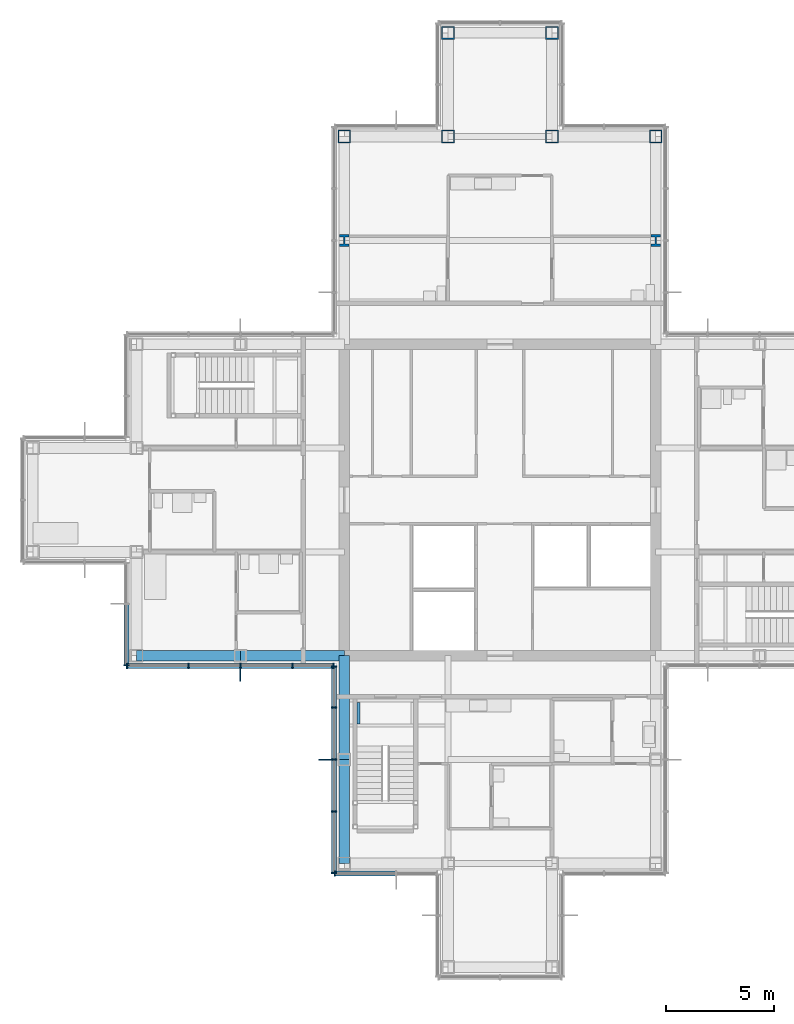
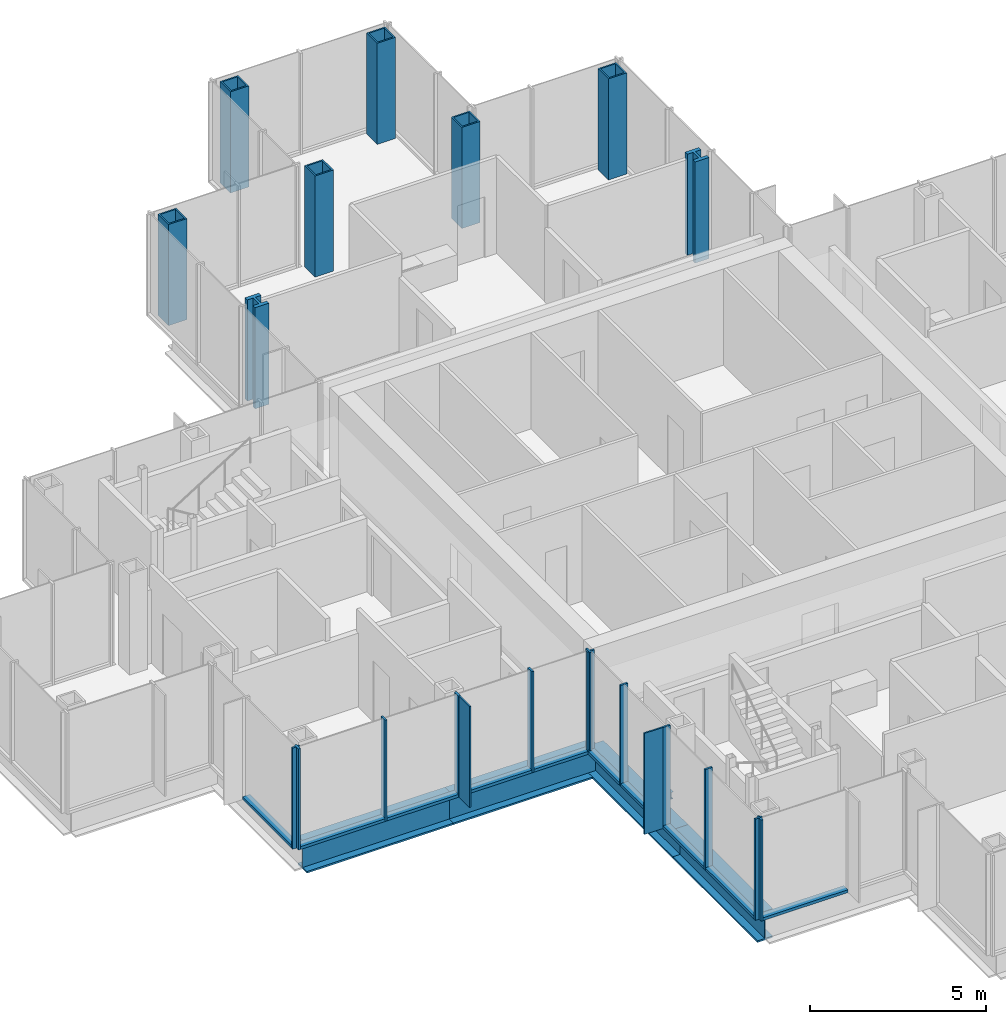
# One storey, part 5 of 17: 24 members, 8 columns, 5 beams, 4 elements without a shape of their own.
"""IFC4 building model written with IfcOpenShell, lengths in metres."""

from ifc_helpers import new_model, si_unit, direction, frame, origin, origin_2d, place, context, subcontext, project, spatial, rectangle, hollow_rectangle, i_section, extrude, material, material_profile, profile_set, type_object, element, aggregate, save


model = new_model("IFC4")

# Units and contexts
model_context = context("Model", 3, precision=1e-05, world=origin(), true_north=direction((0.0, 1.0)))
body_context = subcontext(model_context, "Body", "Model", "MODEL_VIEW")
ifc_project = project(units=[si_unit("LENGTHUNIT", "METRE"), si_unit("AREAUNIT", "SQUARE_METRE"), si_unit("VOLUMEUNIT", "CUBIC_METRE"), si_unit("PLANEANGLEUNIT", "RADIAN"), si_unit("MASSUNIT", "GRAM", prefix="KILO")], contexts=[model_context])

# Site, building, storey
site_placement = place(None, origin())
site = spatial("IfcSite", under=ifc_project, at=site_placement, CompositionType="ELEMENT")
building_placement = place(site_placement, origin())
building = spatial("IfcBuilding", under=site, at=building_placement, Name="Kvirike Care Tower", CompositionType="ELEMENT")
storey_placement = place(building_placement, frame((0.0, 0.0, 162.0)))
storey = spatial("IfcBuildingStorey", under=building, at=storey_placement, Name="L44", CompositionType="ELEMENT", Elevation=162.0)

# Columns
ifc_material_1 = material(Name="Steel S460", Category="steel")
ifc_material_profile_1 = material_profile(ifc_material_1, hollow_rectangle(XDim=0.60009765625, YDim=0.60009765625, WallThickness=0.050048828125, at=origin_2d()), Name="BX 600x600x50")
ifc_profile_set_1 = profile_set([ifc_material_profile_1], Name="Steel S460")
column_type_1 = type_object("IfcColumnType", Name="COLUMN BX 600x600x50", PredefinedType="COLUMN", material=ifc_profile_set_1)
for number, where, z_axis, x_axis, name in (
    (1, (14.39990234375, 52.800048828125, 0.0), (0.0, 0.0, 1.0), (0.0, 1.0, 0.0), "Column M6 L44"),
    (2, (19.199951171875, 52.800048828125, 0.0), (0.0, 0.0, 1.0), (0.0, 1.0, 0.0), "Column M7 L44"),
    (3, (19.199951171875, 57.60009765625, 0.0), (0.0, 0.0, 1.0), (0.0, 1.0, 0.0), "Column N7 L44"),
    (4, (24.0, 52.800048828125, 0.0), (0.0, 0.0, 1.0), (0.0, 1.0, 0.0), "Column M8 L44"),
    (5, (24.0, 57.60009765625, 0.0), (0.0, 0.0, 1.0), (0.0, 1.0, 0.0), "Column N8 L44"),
    (6, (28.800048828125, 52.800048828125, 0.0), (0.0, 0.0, 1.0), (0.0, 1.0, 0.0), "Column M9 L44"),
):
    element("IfcColumn", number, at=place(storey_placement, frame(where, z_axis=z_axis, x_axis=x_axis)), inside=storey, type_object=column_type_1, Name=name, PredefinedType="COLUMN", context=body_context, shape_type="SweptSolid", body=[
        extrude(hollow_rectangle(XDim=0.60009765625, YDim=0.60009765625, WallThickness=0.050048828125, at=origin_2d()), origin(), (0.0, 0.0, 1.0), 3.5),
    ])
ifc_material_2 = material(Name="Steel S460", Category="steel")
ifc_material_profile_2 = material_profile(ifc_material_2, i_section(OverallWidth=0.4541015625, OverallDepth=0.569091796875, WebThickness=0.077880859375, FlangeThickness=0.125, FilletRadius=0.014892578125, at=origin_2d()), Name="HD 400x1086")
ifc_profile_set_2 = profile_set([ifc_material_profile_2], Name="Steel S460")
column_type_2 = type_object("IfcColumnType", Name="COLUMN HD 400x1086", PredefinedType="COLUMN", material=ifc_profile_set_2)
for number, where, z_axis, x_axis, name in (
    (7, (14.39990234375, 48.0, 0.0), (0.0, 0.0, 1.0), (1.0, 0.0, 0.0), "Column L6 L44"),
    (8, (28.800048828125, 48.0, 0.0), (0.0, 0.0, 1.0), (1.0, 0.0, 0.0), "Column L9 L44"),
):
    element("IfcColumn", number, at=place(storey_placement, frame(where, z_axis=z_axis, x_axis=x_axis)), inside=storey, type_object=column_type_2, Name=name, PredefinedType="COLUMN", context=body_context, shape_type="SweptSolid", body=[
        extrude(i_section(OverallWidth=0.4541015625, OverallDepth=0.569091796875, WebThickness=0.077880859375, FlangeThickness=0.125, FilletRadius=0.014892578125, at=origin_2d()), origin(), (0.0, 0.0, 1.0), 3.5),
    ])

# Curtain wall, member
ifc_material_3 = material(Name="Anodised aluminium stick system", Category="aluminium")
curtain_wall_type = type_object("IfcCurtainWallType", Name="CW-C STICK CURTAIN WALL", PredefinedType="NOTDEFINED", material=ifc_material_3)
curtain_wall_1_placement = place(storey_placement, origin())
curtain_wall_1 = element("IfcCurtainWall", 9, at=curtain_wall_1_placement, inside=storey, type_object=curtain_wall_type, Name="Curtain wall L44 face 21", PredefinedType="NOTDEFINED")
ifc_material_4 = material(Name="Bronze anodised aluminium fin", Category="aluminium")
ifc_material_profile_3 = material_profile(ifc_material_4, rectangle(XDim=0.050048828125, YDim=0.60009765625, at=origin_2d()), Name="BRONZE FIN 600")
ifc_profile_set_3 = profile_set([ifc_material_profile_3], Name="Bronze anodised aluminium fin")
member_type_1 = type_object("IfcMemberType", Name="BRONZE FIN 600", PredefinedType="USERDEFINED", material=ifc_profile_set_3)
member_1_placement = place(storey_placement, frame((9.60009765625, 27.909912109375, 0.0), z_axis=(0.0, 0.0, 1.0), x_axis=(1.0, 0.0, 0.0)))
member_1 = element("IfcMember", 10, at=member_1_placement, type_object=member_type_1, Name="Bronze fin L44 face 21.3", ObjectType="FIN", PredefinedType="USERDEFINED", context=body_context, shape_type="SweptSolid", body=[
    extrude(rectangle(XDim=0.050048828125, YDim=0.60009765625, at=origin_2d()), origin(), (0.0, 0.0, 1.0), 3.5),
])

curtain_wall_2_placement = place(storey_placement, origin())
curtain_wall_2 = element("IfcCurtainWall", 11, at=curtain_wall_2_placement, inside=storey, type_object=curtain_wall_type, Name="Curtain wall L44 face 22", PredefinedType="NOTDEFINED")
member_2_placement = place(storey_placement, frame((13.510009765625, 24.0, 0.0), z_axis=(0.0, 0.0, 1.0), x_axis=(0.0, -1.0, 0.0)))
member_2 = element("IfcMember", 12, at=member_2_placement, type_object=member_type_1, Name="Bronze fin L44 face 22.3", ObjectType="FIN", PredefinedType="USERDEFINED", context=body_context, shape_type="SweptSolid", body=[
    extrude(rectangle(XDim=0.050048828125, YDim=0.60009765625, at=origin_2d()), origin(), (0.0, 0.0, 1.0), 3.5),
])

curtain_wall_3_placement = place(storey_placement, origin())
curtain_wall_3 = element("IfcCurtainWall", 13, at=curtain_wall_3_placement, inside=storey, type_object=curtain_wall_type, Name="Curtain wall L44 face 20", PredefinedType="NOTDEFINED")
ifc_material_5 = material(Name="Bronze anodised aluminium mullion", Category="aluminium")
ifc_material_profile_4 = material_profile(ifc_material_5, rectangle(XDim=0.06494140625, YDim=0.239990234375, at=origin_2d()), Name="CW-C MULLION 65x240")
ifc_profile_set_4 = profile_set([ifc_material_profile_4], Name="Bronze anodised aluminium mullion")
member_type_2 = type_object("IfcMemberType", Name="CW-C MULLION 65x240", PredefinedType="MULLION", material=ifc_profile_set_4)
member_3_placement = place(storey_placement, frame((4.330078125, 28.362548828125, 0.0), z_axis=(0.0, 0.0, 1.0), x_axis=(0.0, -1.0, 0.0)))
member_3 = element("IfcMember", 14, at=member_3_placement, type_object=member_type_2, Name="CW-C mullion L44 face 20.3", PredefinedType="MULLION", context=body_context, shape_type="SweptSolid", body=[
    extrude(rectangle(XDim=0.06494140625, YDim=0.239990234375, at=origin_2d()), origin(), (0.0, 0.0, 1.0), 3.5),
])

# Member
member_4_placement = place(storey_placement, frame((4.362548828125, 28.330078125, 0.0), z_axis=(0.0, 0.0, 1.0), x_axis=(1.0, 0.0, 0.0)))
member_4 = element("IfcMember", 15, at=member_4_placement, type_object=member_type_2, Name="CW-C mullion L44 face 21.1", PredefinedType="MULLION", context=body_context, shape_type="SweptSolid", body=[
    extrude(rectangle(XDim=0.06494140625, YDim=0.239990234375, at=origin_2d()), origin(), (0.0, 0.0, 1.0), 3.5),
])

member_5_placement = place(storey_placement, frame((7.199951171875, 28.330078125, 0.0), z_axis=(0.0, 0.0, 1.0), x_axis=(1.0, 0.0, 0.0)))
member_5 = element("IfcMember", 16, at=member_5_placement, type_object=member_type_2, Name="CW-C mullion L44 face 21.2", PredefinedType="MULLION", context=body_context, shape_type="SweptSolid", body=[
    extrude(rectangle(XDim=0.06494140625, YDim=0.239990234375, at=origin_2d()), origin(), (0.0, 0.0, 1.0), 3.5),
])

member_6_placement = place(storey_placement, frame((9.60009765625, 28.330078125, 0.0), z_axis=(0.0, 0.0, 1.0), x_axis=(1.0, 0.0, 0.0)))
member_6 = element("IfcMember", 17, at=member_6_placement, type_object=member_type_2, Name="CW-C mullion L44 face 21.3", PredefinedType="MULLION", context=body_context, shape_type="SweptSolid", body=[
    extrude(rectangle(XDim=0.06494140625, YDim=0.239990234375, at=origin_2d()), origin(), (0.0, 0.0, 1.0), 3.5),
])

member_7_placement = place(storey_placement, frame((12.0, 28.330078125, 0.0), z_axis=(0.0, 0.0, 1.0), x_axis=(1.0, 0.0, 0.0)))
member_7 = element("IfcMember", 18, at=member_7_placement, type_object=member_type_2, Name="CW-C mullion L44 face 21.4", PredefinedType="MULLION", context=body_context, shape_type="SweptSolid", body=[
    extrude(rectangle(XDim=0.06494140625, YDim=0.239990234375, at=origin_2d()), origin(), (0.0, 0.0, 1.0), 3.5),
])

member_8_placement = place(storey_placement, frame((13.8974609375, 28.330078125, 0.0), z_axis=(0.0, 0.0, 1.0), x_axis=(1.0, 0.0, 0.0)))
member_8 = element("IfcMember", 19, at=member_8_placement, type_object=member_type_2, Name="CW-C mullion L44 face 21.5", PredefinedType="MULLION", context=body_context, shape_type="SweptSolid", body=[
    extrude(rectangle(XDim=0.06494140625, YDim=0.239990234375, at=origin_2d()), origin(), (0.0, 0.0, 1.0), 3.5),
])

member_9_placement = place(storey_placement, frame((13.929931640625, 28.297607421875, 0.0), z_axis=(0.0, 0.0, 1.0), x_axis=(0.0, -1.0, 0.0)))
member_9 = element("IfcMember", 20, at=member_9_placement, type_object=member_type_2, Name="CW-C mullion L44 face 22.1", PredefinedType="MULLION", context=body_context, shape_type="SweptSolid", body=[
    extrude(rectangle(XDim=0.06494140625, YDim=0.239990234375, at=origin_2d()), origin(), (0.0, 0.0, 1.0), 3.5),
])

member_10_placement = place(storey_placement, frame((13.929931640625, 26.39990234375, 0.0), z_axis=(0.0, 0.0, 1.0), x_axis=(0.0, -1.0, 0.0)))
member_10 = element("IfcMember", 21, at=member_10_placement, type_object=member_type_2, Name="CW-C mullion L44 face 22.2", PredefinedType="MULLION", context=body_context, shape_type="SweptSolid", body=[
    extrude(rectangle(XDim=0.06494140625, YDim=0.239990234375, at=origin_2d()), origin(), (0.0, 0.0, 1.0), 3.5),
])

member_11_placement = place(storey_placement, frame((13.929931640625, 24.0, 0.0), z_axis=(0.0, 0.0, 1.0), x_axis=(0.0, -1.0, 0.0)))
member_11 = element("IfcMember", 22, at=member_11_placement, type_object=member_type_2, Name="CW-C mullion L44 face 22.3", PredefinedType="MULLION", context=body_context, shape_type="SweptSolid", body=[
    extrude(rectangle(XDim=0.06494140625, YDim=0.239990234375, at=origin_2d()), origin(), (0.0, 0.0, 1.0), 3.5),
])

member_12_placement = place(storey_placement, frame((13.929931640625, 21.60009765625, 0.0), z_axis=(0.0, 0.0, 1.0), x_axis=(0.0, -1.0, 0.0)))
member_12 = element("IfcMember", 23, at=member_12_placement, type_object=member_type_2, Name="CW-C mullion L44 face 22.4", PredefinedType="MULLION", context=body_context, shape_type="SweptSolid", body=[
    extrude(rectangle(XDim=0.06494140625, YDim=0.239990234375, at=origin_2d()), origin(), (0.0, 0.0, 1.0), 3.5),
])

member_13_placement = place(storey_placement, frame((13.929931640625, 18.762451171875, 0.0), z_axis=(0.0, 0.0, 1.0), x_axis=(0.0, -1.0, 0.0)))
member_13 = element("IfcMember", 24, at=member_13_placement, type_object=member_type_2, Name="CW-C mullion L44 face 22.5", PredefinedType="MULLION", context=body_context, shape_type="SweptSolid", body=[
    extrude(rectangle(XDim=0.06494140625, YDim=0.239990234375, at=origin_2d()), origin(), (0.0, 0.0, 1.0), 3.5),
])

# Curtain wall, member
curtain_wall_4_placement = place(storey_placement, origin())
curtain_wall_4 = element("IfcCurtainWall", 25, at=curtain_wall_4_placement, inside=storey, type_object=curtain_wall_type, Name="Curtain wall L44 face 23", PredefinedType="NOTDEFINED")
member_14_placement = place(storey_placement, frame((13.96240234375, 18.72998046875, 0.0), z_axis=(0.0, 0.0, 1.0), x_axis=(1.0, 0.0, 0.0)))
member_14 = element("IfcMember", 26, at=member_14_placement, type_object=member_type_2, Name="CW-C mullion L44 face 23.1", PredefinedType="MULLION", context=body_context, shape_type="SweptSolid", body=[
    extrude(rectangle(XDim=0.06494140625, YDim=0.239990234375, at=origin_2d()), origin(), (0.0, 0.0, 1.0), 3.5),
])

# Member
ifc_material_6 = material(Name="Bronze anodised aluminium transom", Category="aluminium")
ifc_material_profile_5 = material_profile(ifc_material_6, rectangle(XDim=0.239990234375, YDim=0.10009765625, at=origin_2d()), Name="CW-C TRANSOM 240x100")
ifc_profile_set_5 = profile_set([ifc_material_profile_5], Name="Bronze anodised aluminium transom")
member_type_3 = type_object("IfcMemberType", Name="CW-C TRANSOM 240x100", PredefinedType="USERDEFINED", material=ifc_profile_set_5)
member_15_placement = place(storey_placement, frame((4.330078125, 31.16748046875, 0.050048828125), z_axis=(0.0, -1.0, 0.0), x_axis=(1.0, 0.0, 0.0)))
member_15 = element("IfcMember", 27, at=member_15_placement, type_object=member_type_3, Name="CW-C sill transom L44 face 20.2", ObjectType="TRANSOM", PredefinedType="USERDEFINED", context=body_context, shape_type="SweptSolid", body=[
    extrude(rectangle(XDim=0.239990234375, YDim=0.10009765625, at=origin_2d()), origin(), (0.0, 0.0, 1.0), 2.7724609375),
])

aggregate(curtain_wall_3, [member_3, member_15])

member_16_placement = place(storey_placement, frame((4.39501953125, 28.330078125, 0.050048828125), z_axis=(1.0, 0.0, 0.0), x_axis=(0.0, 1.0, 0.0)))
member_16 = element("IfcMember", 28, at=member_16_placement, type_object=member_type_3, Name="CW-C sill transom L44 face 21.1", ObjectType="TRANSOM", PredefinedType="USERDEFINED", context=body_context, shape_type="SweptSolid", body=[
    extrude(rectangle(XDim=0.239990234375, YDim=0.10009765625, at=origin_2d()), origin(), (0.0, 0.0, 1.0), 2.7724609375),
])

member_17_placement = place(storey_placement, frame((7.232421875, 28.330078125, 0.050048828125), z_axis=(1.0, 0.0, 0.0), x_axis=(0.0, 1.0, 0.0)))
member_17 = element("IfcMember", 29, at=member_17_placement, type_object=member_type_3, Name="CW-C sill transom L44 face 21.2", ObjectType="TRANSOM", PredefinedType="USERDEFINED", context=body_context, shape_type="SweptSolid", body=[
    extrude(rectangle(XDim=0.239990234375, YDim=0.10009765625, at=origin_2d()), origin(), (0.0, 0.0, 1.0), 2.3349609375),
])

member_18_placement = place(storey_placement, frame((9.632568359375, 28.330078125, 0.050048828125), z_axis=(1.0, 0.0, 0.0), x_axis=(0.0, 1.0, 0.0)))
member_18 = element("IfcMember", 30, at=member_18_placement, type_object=member_type_3, Name="CW-C sill transom L44 face 21.3", ObjectType="TRANSOM", PredefinedType="USERDEFINED", context=body_context, shape_type="SweptSolid", body=[
    extrude(rectangle(XDim=0.239990234375, YDim=0.10009765625, at=origin_2d()), origin(), (0.0, 0.0, 1.0), 2.3349609375),
])

member_19_placement = place(storey_placement, frame((12.032470703125, 28.330078125, 0.050048828125), z_axis=(1.0, 0.0, 0.0), x_axis=(0.0, 1.0, 0.0)))
member_19 = element("IfcMember", 31, at=member_19_placement, type_object=member_type_3, Name="CW-C sill transom L44 face 21.4", ObjectType="TRANSOM", PredefinedType="USERDEFINED", context=body_context, shape_type="SweptSolid", body=[
    extrude(rectangle(XDim=0.239990234375, YDim=0.10009765625, at=origin_2d()), origin(), (0.0, 0.0, 1.0), 1.83251953125),
])

aggregate(curtain_wall_1, [member_4, member_5, member_6, member_1, member_7, member_8, member_16, member_17, member_18, member_19])

member_20_placement = place(storey_placement, frame((13.929931640625, 28.264892578125, 0.050048828125), z_axis=(0.0, -1.0, 0.0), x_axis=(1.0, 0.0, 0.0)))
member_20 = element("IfcMember", 32, at=member_20_placement, type_object=member_type_3, Name="CW-C sill transom L44 face 22.1", ObjectType="TRANSOM", PredefinedType="USERDEFINED", context=body_context, shape_type="SweptSolid", body=[
    extrude(rectangle(XDim=0.239990234375, YDim=0.10009765625, at=origin_2d()), origin(), (0.0, 0.0, 1.0), 1.832275390625),
])

member_21_placement = place(storey_placement, frame((13.929931640625, 26.367431640625, 0.050048828125), z_axis=(0.0, -1.0, 0.0), x_axis=(1.0, 0.0, 0.0)))
member_21 = element("IfcMember", 33, at=member_21_placement, type_object=member_type_3, Name="CW-C sill transom L44 face 22.2", ObjectType="TRANSOM", PredefinedType="USERDEFINED", context=body_context, shape_type="SweptSolid", body=[
    extrude(rectangle(XDim=0.239990234375, YDim=0.10009765625, at=origin_2d()), origin(), (0.0, 0.0, 1.0), 2.3349609375),
])

member_22_placement = place(storey_placement, frame((13.929931640625, 23.967529296875, 0.050048828125), z_axis=(0.0, -1.0, 0.0), x_axis=(1.0, 0.0, 0.0)))
member_22 = element("IfcMember", 34, at=member_22_placement, type_object=member_type_3, Name="CW-C sill transom L44 face 22.3", ObjectType="TRANSOM", PredefinedType="USERDEFINED", context=body_context, shape_type="SweptSolid", body=[
    extrude(rectangle(XDim=0.239990234375, YDim=0.10009765625, at=origin_2d()), origin(), (0.0, 0.0, 1.0), 2.3349609375),
])

member_23_placement = place(storey_placement, frame((13.929931640625, 21.5673828125, 0.050048828125), z_axis=(0.0, -1.0, 0.0), x_axis=(1.0, 0.0, 0.0)))
member_23 = element("IfcMember", 35, at=member_23_placement, type_object=member_type_3, Name="CW-C sill transom L44 face 22.4", ObjectType="TRANSOM", PredefinedType="USERDEFINED", context=body_context, shape_type="SweptSolid", body=[
    extrude(rectangle(XDim=0.239990234375, YDim=0.10009765625, at=origin_2d()), origin(), (0.0, 0.0, 1.0), 2.7724609375),
])

aggregate(curtain_wall_2, [member_9, member_10, member_11, member_2, member_12, member_13, member_20, member_21, member_22, member_23])

member_24_placement = place(storey_placement, frame((13.9951171875, 18.72998046875, 0.050048828125), z_axis=(1.0, 0.0, 0.0), x_axis=(0.0, 1.0, 0.0)))
member_24 = element("IfcMember", 36, at=member_24_placement, type_object=member_type_3, Name="CW-C sill transom L44 face 23.1", ObjectType="TRANSOM", PredefinedType="USERDEFINED", context=body_context, shape_type="SweptSolid", body=[
    extrude(rectangle(XDim=0.239990234375, YDim=0.10009765625, at=origin_2d()), origin(), (0.0, 0.0, 1.0), 2.7724609375),
])

aggregate(curtain_wall_4, [member_14, member_24])

# Beams
ifc_material_7 = material(Name="Steel S355", Category="steel")
ifc_material_profile_6 = material_profile(ifc_material_7, i_section(OverallWidth=0.5, OverallDepth=1.0, WebThickness=0.030029296875, FlangeThickness=0.06005859375, at=origin_2d()), Name="PG 1000x500x30x60")
ifc_profile_set_6 = profile_set([ifc_material_profile_6], Name="Steel S355")
beam_type_1 = type_object("IfcBeamType", Name="SPANDREL PG 1000x500x30x60", PredefinedType="SPANDREL", material=ifc_profile_set_6)
beam_1_placement = place(storey_placement, frame((4.800048828125, 28.800048828125, -0.669921875), z_axis=(1.0, 0.0, 0.0), x_axis=(0.0, 1.0, 0.0)))
element("IfcBeam", 37, at=beam_1_placement, inside=storey, type_object=beam_type_1, Name="Spandrel G4-G5 L44", PredefinedType="SPANDREL", context=body_context, shape_type="SweptSolid", body=[
    extrude(i_section(OverallWidth=0.5, OverallDepth=1.0, WebThickness=0.030029296875, FlangeThickness=0.06005859375, at=origin_2d()), origin(), (0.0, 0.0, 1.0), 4.800048828125),
])
beam_2_placement = place(storey_placement, frame((9.60009765625, 28.800048828125, -0.669921875), z_axis=(1.0, 0.0, 0.0), x_axis=(0.0, 1.0, 0.0)))
element("IfcBeam", 38, at=beam_2_placement, inside=storey, type_object=beam_type_1, Name="Spandrel G5-G6 L44", PredefinedType="SPANDREL", context=body_context, shape_type="SweptSolid", body=[
    extrude(i_section(OverallWidth=0.5, OverallDepth=1.0, WebThickness=0.030029296875, FlangeThickness=0.06005859375, at=origin_2d()), origin(), (0.0, 0.0, 1.0), 4.7998046875),
])
for number, where, z_axis, x_axis, name in (
    (39, (14.39990234375, 19.199951171875, -0.669921875), (0.0, 1.0, 0.0), (-1.0, 0.0, 0.0), "Spandrel E6-F6 L44"),
    (40, (14.39990234375, 24.0, -0.669921875), (0.0, 1.0, 0.0), (-1.0, 0.0, 0.0), "Spandrel F6-G6 L44"),
):
    element("IfcBeam", number, at=place(storey_placement, frame(where, z_axis=z_axis, x_axis=x_axis)), inside=storey, type_object=beam_type_1, Name=name, PredefinedType="SPANDREL", context=body_context, shape_type="SweptSolid", body=[
        extrude(i_section(OverallWidth=0.5, OverallDepth=1.0, WebThickness=0.030029296875, FlangeThickness=0.06005859375, at=origin_2d()), origin(), (0.0, 0.0, 1.0), 4.800048828125),
    ])
ifc_material_8 = material(Name="Steel S355", Category="steel")
ifc_material_profile_7 = material_profile(ifc_material_8, i_section(OverallWidth=0.1201171875, OverallDepth=0.239990234375, WebThickness=0.006103515625, FlangeThickness=0.009765625, FilletRadius=0.014892578125, at=origin_2d()), Name="IPE 240")
ifc_profile_set_7 = profile_set([ifc_material_profile_7], Name="Steel S355")
beam_type_2 = type_object("IfcBeamType", Name="STAIR LANDING BEAM IPE 240", PredefinedType="BEAM", material=ifc_profile_set_7)
beam_3_placement = place(storey_placement, frame((15.06005859375, 25.64990234375, -0.320068359375), z_axis=(0.0, 1.0, 0.0), x_axis=(-1.0, 0.0, 0.0)))
element("IfcBeam", 41, at=beam_3_placement, inside=storey, type_object=beam_type_2, Name="Stair 5 landing edge beam 1 L44", PredefinedType="BEAM", context=body_context, shape_type="SweptSolid", body=[
    extrude(i_section(OverallWidth=0.1201171875, OverallDepth=0.239990234375, WebThickness=0.006103515625, FlangeThickness=0.009765625, FilletRadius=0.014892578125, at=origin_2d()), origin(), (0.0, 0.0, 1.0), 1.0),
])

save(model, "model.ifc")
